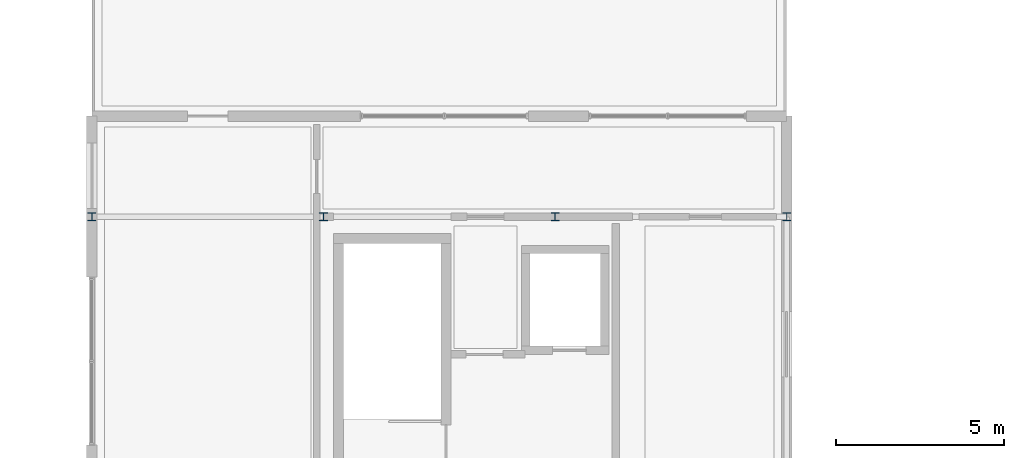
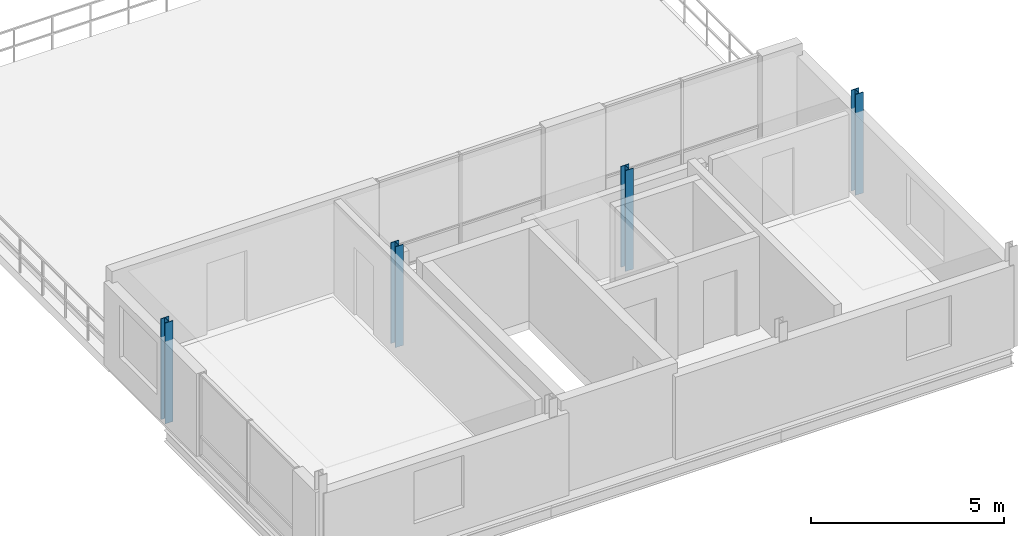
# One storey, part 4 of 109: 4 columns.
"""IFC4 building model written with IfcOpenShell, lengths in metres."""

import ifcopenshell
import ifcopenshell.guid

model = None  # the IFC model being written
_history = None  # IfcOwnerHistory: only IFC2X3 demands one
_inside = {}  # id of a spatial element -> (the spatial element, [elements in it])
_under = {}  # id of a project, library or spatial element -> (it, [spatial elements below it])
_declared = {}  # id of a project -> (the project, [libraries it declares])
_typed = {}  # id of a type object -> (the type object, [elements of that type])
_made_of = {}  # id of a material, layer set ... -> (it, [elements and type objects made of it])


def new_model(schema):
    """Start an empty IFC model of exactly this schema.

    Asked for "IFC4X3", IfcOpenShell would pick the latest addendum, in which some entities
    have other attributes; the version numbers below select the first issue.
    IFC2X3 requires an IfcOwnerHistory on every rooted entity: one is made here for all.
    """
    global model, _history
    if schema == "IFC4X3":
        model = ifcopenshell.file(schema_version=(4, 3, 0, 0))
    else:
        model = ifcopenshell.file(schema=schema)
    _inside.clear()
    _under.clear()
    _declared.clear()
    _typed.clear()
    _made_of.clear()
    _history = None
    if model.schema == "IFC2X3":
        org = make("IfcOrganization", Name="unknown")
        user = make(
            "IfcPersonAndOrganization",
            ThePerson=make("IfcPerson", FamilyName="unknown"),
            TheOrganization=org,
        )
        app = make(
            "IfcApplication",
            ApplicationDeveloper=org,
            Version="unknown",
            ApplicationFullName="unknown",
            ApplicationIdentifier="unknown",
        )
        _history = make(
            "IfcOwnerHistory",
            OwningUser=user,
            OwningApplication=app,
            ChangeAction="ADDED",
            CreationDate=0,
        )
    return model


def make(cls, **values):
    """One entity of the class cls with the attributes given. An attribute that is None is left unset."""
    return model.create_entity(
        cls, **{name: value for name, value in values.items() if value is not None}
    )


def rooted(cls, **values):
    """An entity with a GlobalId (a new one), such as an element, a storey or a relation."""
    return make(cls, GlobalId=ifcopenshell.guid.new(), OwnerHistory=_history, **values)


def si_unit(unit_type, name, prefix=None):
    """IfcSIUnit, for example si_unit("LENGTHUNIT", "METRE", prefix="MILLI")."""
    return make("IfcSIUnit", UnitType=unit_type, Prefix=prefix, Name=name)


def assignment(units):
    """IfcUnitAssignment: the units of a project."""
    return None if units is None else make("IfcUnitAssignment", Units=units)


def point(xyz):
    """IfcCartesianPoint."""
    return None if xyz is None else make("IfcCartesianPoint", Coordinates=xyz)


def direction(xyz):
    """IfcDirection."""
    return None if xyz is None else make("IfcDirection", DirectionRatios=xyz)


def frame(location, z_axis=None, x_axis=None):
    """IfcAxis2Placement3D, a coordinate frame: its origin and axes. An axis left out is left unset."""
    return make(
        "IfcAxis2Placement3D",
        Location=point(location),
        Axis=direction(z_axis),
        RefDirection=direction(x_axis),
    )


def frame_2d(location, x_axis=None):
    """IfcAxis2Placement2D, a coordinate frame in the plane: its origin and x axis."""
    return make(
        "IfcAxis2Placement2D", Location=point(location), RefDirection=direction(x_axis)
    )


def origin():
    """The frame at (0, 0, 0) with its axes left unset."""
    return frame((0.0, 0.0, 0.0))


def origin_2d():
    """The frame at (0, 0) in the plane with its x axis left unset."""
    return frame_2d((0.0, 0.0))


def place(relative_to, where):
    """IfcLocalPlacement: puts the frame where relative to a parent placement (None: the world)."""
    return make(
        "IfcLocalPlacement", PlacementRelTo=relative_to, RelativePlacement=where
    )


def context(
    kind, dimensions, precision=None, world=None, true_north=None, identifier=None
):
    """IfcGeometricRepresentationContext, for example the 3D "Model" context."""
    return make(
        "IfcGeometricRepresentationContext",
        ContextIdentifier=identifier,
        ContextType=kind,
        CoordinateSpaceDimension=dimensions,
        Precision=precision,
        WorldCoordinateSystem=world,
        TrueNorth=true_north,
    )


def subcontext(parent, identifier, kind, view, scale=None):
    """IfcGeometricRepresentationSubContext, for example "Body" below "Model"."""
    return make(
        "IfcGeometricRepresentationSubContext",
        ContextIdentifier=identifier,
        ContextType=kind,
        ParentContext=parent,
        TargetScale=scale,
        TargetView=view,
    )


def project(units=None, contexts=None):
    """IfcProject with its units and contexts."""
    return rooted(
        "IfcProject",
        Name="project",
        RepresentationContexts=contexts,
        UnitsInContext=assignment(units),
    )


def spatial(cls, under=None, at=None, **own):
    """A site, building, storey or space (cls), placed at a placement, below another one or the project."""
    s = rooted(cls, ObjectPlacement=at, **own)
    if under is not None:
        _under.setdefault(under.id(), (under, []))[1].append(s)
    return s


def profile(cls, at=None, kind="AREA", **sizes):
    """A parametric profile (cls). Its sizes go by their IFC names, for example OverallWidth=200.0."""
    return make(cls, ProfileType=kind, Position=at, **sizes)


def i_section(**sizes):
    """IfcIShapeProfileDef."""
    return profile("IfcIShapeProfileDef", **sizes)


def extrude(swept, where, along, depth):
    """IfcExtrudedAreaSolid: the profile swept, set in the frame where, extruded along a direction by depth."""
    return make(
        "IfcExtrudedAreaSolid",
        SweptArea=swept,
        Position=where,
        ExtrudedDirection=direction(along),
        Depth=depth,
    )


def shape(context_of_items, identifier, shape_type, items):
    """IfcShapeRepresentation: the items that make up one representation, for example the "Body"."""
    return make(
        "IfcShapeRepresentation",
        ContextOfItems=context_of_items,
        RepresentationIdentifier=identifier,
        RepresentationType=shape_type,
        Items=items,
    )


def material(Name=None, Category=None):
    """IfcMaterial."""
    return make("IfcMaterial", Name=Name, Category=Category)


def material_profile(
    of_material, cross_section, Name=None, Category=None, Priority=None
):
    """IfcMaterialProfile: a cross section and its material."""
    return make(
        "IfcMaterialProfile",
        Name=Name,
        Material=of_material,
        Profile=cross_section,
        Priority=Priority,
        Category=Category,
    )


def profile_set(profiles, Name=None, composite=None):
    """IfcMaterialProfileSet."""
    return make(
        "IfcMaterialProfileSet",
        Name=Name,
        MaterialProfiles=profiles,
        CompositeProfile=composite,
    )


def made_of(thing, what):
    """Note that an element or type object is made of a material, layer set ...; save() writes the relation."""
    if what is not None:
        _made_of.setdefault(what.id(), (what, []))[1].append(thing)
    return thing


def type_object(cls, material=None, **own):
    """A type object (cls), such as IfcWallType, which elements share."""
    return made_of(rooted(cls, **own), material)


def element(
    cls,
    number,
    at=None,
    inside=None,
    cuts=None,
    type_object=None,
    material=None,
    context=None,
    identifier="Body",
    shape_type=None,
    held_by="IfcProductDefinitionShape",
    body=None,
    shapes=None,
    **own,
):
    """One element of the class cls, such as IfcWall. Its Tag is "e" and its number.

    at: its placement. inside: the storey or other place that contains it. cuts: it is an
    opening in that element (IfcRelVoidsElement). A single representation is given by context,
    identifier, shape_type and body (its items); several are given by shapes. held_by: the class
    of the entity that holds the representations. save() writes the other relations.
    """
    e = rooted(cls, Tag="e%d" % number, ObjectPlacement=at, **own)
    if body is not None:
        shapes = [shape(context, identifier, shape_type, body)]
    if shapes is not None:
        e.Representation = make(held_by, Representations=shapes)
    if inside is not None:
        _inside.setdefault(inside.id(), (inside, []))[1].append(e)
    if cuts is not None:
        rooted(
            "IfcRelVoidsElement", RelatingBuildingElement=cuts, RelatedOpeningElement=e
        )
    if type_object is not None:
        _typed.setdefault(type_object.id(), (type_object, []))[1].append(e)
    return made_of(e, material)


def aggregate(whole, parts):
    """IfcRelAggregates: a whole, such as a stair, and the parts it consists of."""
    return rooted("IfcRelAggregates", RelatingObject=whole, RelatedObjects=parts)


def save(model, path):
    """Write the relations noted so far, then the file.

    IfcRelAggregates (storeys below a building ...), IfcRelContainedInSpatialStructure (elements
    in a storey), IfcRelDefinesByType, IfcRelAssociatesMaterial and IfcRelDeclares: one each for
    every whole, place, type object, material and project.
    """
    for whole, parts in _under.values():
        aggregate(whole, parts)
    for where, things in _inside.values():
        rooted(
            "IfcRelContainedInSpatialStructure",
            RelatedElements=things,
            RelatingStructure=where,
        )
    for kind, things in _typed.values():
        rooted("IfcRelDefinesByType", RelatedObjects=things, RelatingType=kind)
    for what, things in _made_of.values():
        rooted("IfcRelAssociatesMaterial", RelatedObjects=things, RelatingMaterial=what)
    for by, libraries in _declared.values():
        rooted("IfcRelDeclares", RelatingContext=by, RelatedDefinitions=libraries)
    model.write(path)


model = new_model("IFC4")

# Units and contexts
model_context = context("Model", 3, precision=1e-05, world=origin(), true_north=direction((0.0, 1.0)))
body_context = subcontext(model_context, "Body", "Model", "MODEL_VIEW")
ifc_project = project(units=[si_unit("LENGTHUNIT", "METRE"), si_unit("AREAUNIT", "SQUARE_METRE"), si_unit("VOLUMEUNIT", "CUBIC_METRE"), si_unit("PLANEANGLEUNIT", "RADIAN"), si_unit("MASSUNIT", "GRAM", prefix="KILO")], contexts=[model_context])

# Site, building, storey
site_placement = place(None, origin())
site = spatial("IfcSite", under=ifc_project, at=site_placement, CompositionType="ELEMENT")
building_placement = place(site_placement, origin())
building = spatial("IfcBuilding", under=site, at=building_placement, Name="Zavelmont Quarter", CompositionType="ELEMENT")
storey_placement = place(building_placement, frame((0.0, 0.0, 8.0)))
storey = spatial("IfcBuildingStorey", under=building, at=storey_placement, Name="L02", CompositionType="ELEMENT", Elevation=8.0)

# Columns
ifc_material = material(Name="Steel S355", Category="steel")
ifc_material_profile = material_profile(ifc_material, i_section(OverallWidth=0.239990234375, OverallDepth=0.239990234375, WebThickness=0.010009765625, FlangeThickness=0.01708984375, at=origin_2d()), Name="HEB 240")
ifc_profile_set = profile_set([ifc_material_profile], Name="Steel S355")
column_type = type_object("IfcColumnType", Name="CL11", PredefinedType="COLUMN", material=ifc_profile_set)
for number, where, z_axis, x_axis, name in (
    (1, (0.0, 38.0, 0.0), (0.0, 0.0, 1.0), (1.0, 0.0, 0.0), "L02 column CL11 at 1/G"),
    (2, (6.89990234375, 38.0, 0.0), (0.0, 0.0, 1.0), (1.0, 0.0, 0.0), "L02 column CL11 at 2/G"),
    (3, (13.800048828125, 38.0, 0.0), (0.0, 0.0, 1.0), (1.0, 0.0, 0.0), "L02 column CL11 at 3/G"),
    (4, (20.699951171875, 38.0, 0.0), (0.0, 0.0, 1.0), (1.0, 0.0, 0.0), "L02 column CL11 at 4/G"),
):
    element("IfcColumn", number, at=place(storey_placement, frame(where, z_axis=z_axis, x_axis=x_axis)), inside=storey, type_object=column_type, Name=name, PredefinedType="COLUMN", context=body_context, shape_type="SweptSolid", body=[
        extrude(i_section(OverallWidth=0.239990234375, OverallDepth=0.239990234375, WebThickness=0.010009765625, FlangeThickness=0.01708984375, at=origin_2d()), origin(), (0.0, 0.0, 1.0), 3.199951171875),
    ])

save(model, "model.ifc")
